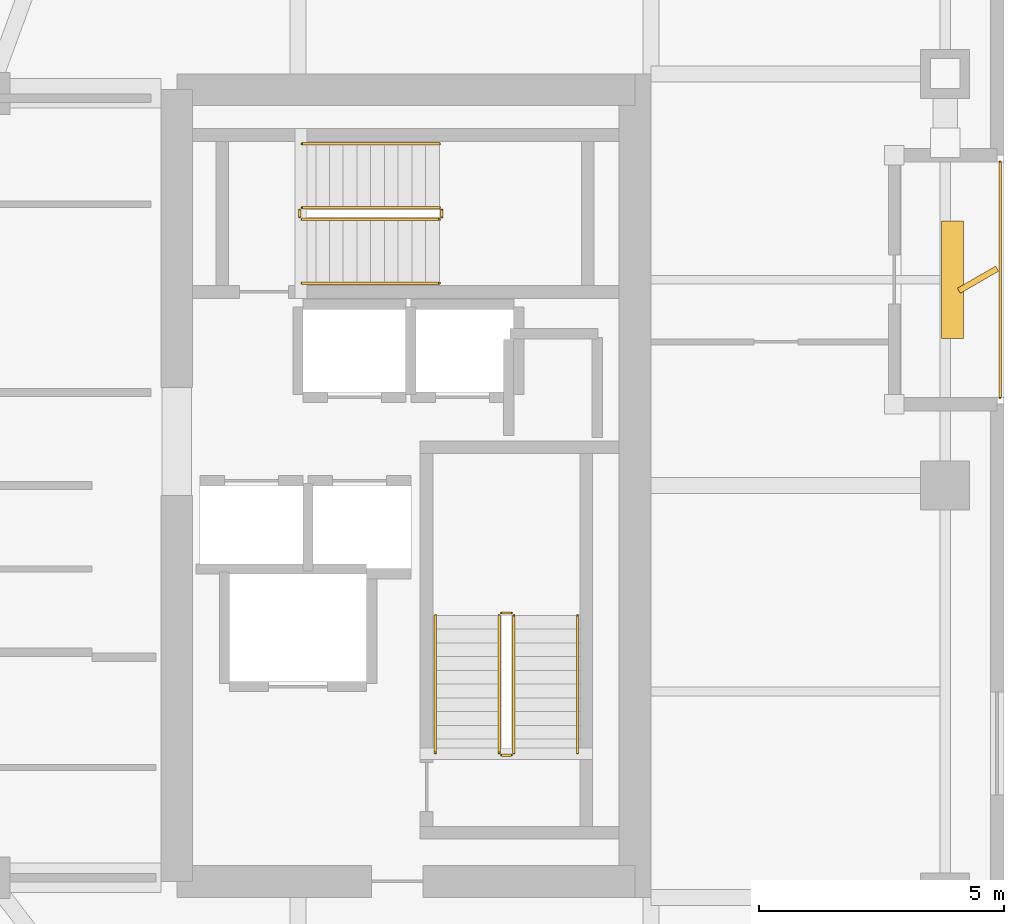
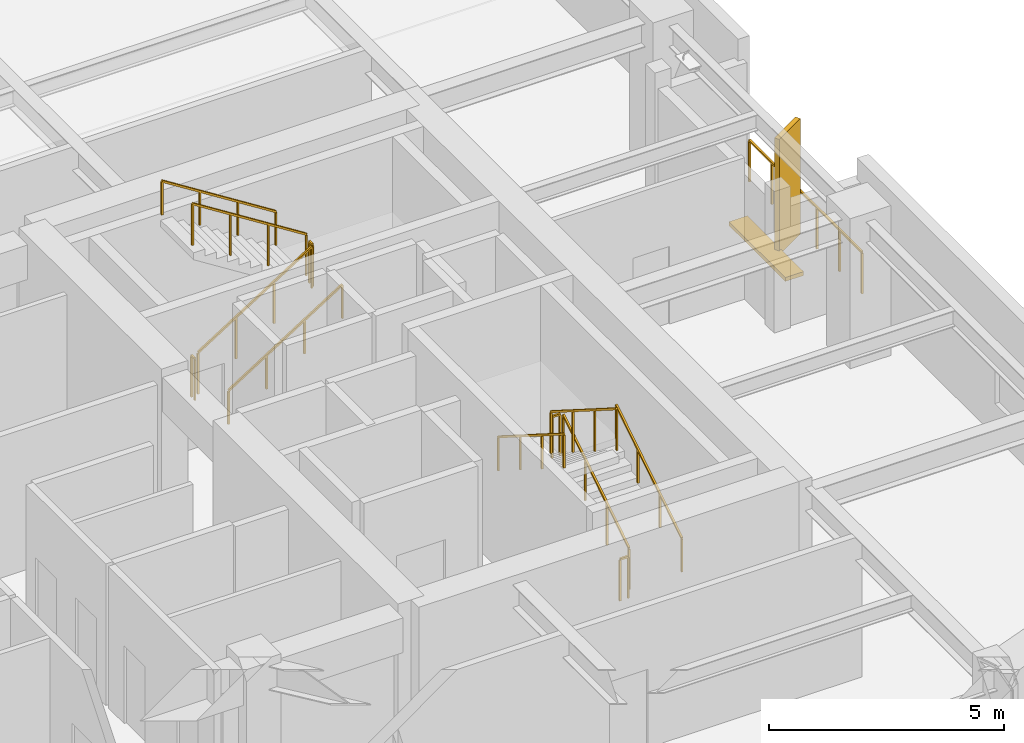
# One storey, part 20 of 21: 13 railings, 2 shading devices.
"""IFC4 building model written with IfcOpenShell, lengths in metres."""

from ifc_helpers import new_model, si_unit, direction, frame, origin, origin_2d, place, context, subcontext, project, spatial, rectangle, extrude, material, type_object, element, save


model = new_model("IFC4")

# Units and contexts
model_context = context("Model", 3, precision=1e-05, world=origin(), true_north=direction((0.0, 1.0)))
body_context = subcontext(model_context, "Body", "Model", "MODEL_VIEW")
ifc_project = project(units=[si_unit("LENGTHUNIT", "METRE"), si_unit("AREAUNIT", "SQUARE_METRE"), si_unit("VOLUMEUNIT", "CUBIC_METRE"), si_unit("PLANEANGLEUNIT", "RADIAN"), si_unit("MASSUNIT", "GRAM", prefix="KILO")], contexts=[model_context])

# Site, building, storey
site_placement = place(None, origin())
site = spatial("IfcSite", under=ifc_project, at=site_placement, CompositionType="ELEMENT")
building_placement = place(site_placement, origin())
building = spatial("IfcBuilding", under=site, at=building_placement, Name="Kiyonajd Concourse Tower", CompositionType="ELEMENT")
storey_placement = place(building_placement, frame((0.0, 0.0, 231.0)))
storey = spatial("IfcBuildingStorey", under=building, at=storey_placement, Name="L58", CompositionType="ELEMENT", Elevation=231.0)

# Railings
ifc_material_1 = material(Name="Thermally Broken Anodised Aluminium", Category="aluminium")
railing_type_1 = type_object("IfcRailingType", Name="RL-GRD-LOG", PredefinedType="GUARDRAIL", material=ifc_material_1)
railing_1_placement = place(storey_placement, frame((70.719970703125, 37.800048828125, 0.0)))
element("IfcRailing", 1, at=railing_1_placement, inside=storey, type_object=railing_type_1, Name="L58 Engawa Loggia Perimeter Guard LOG-E", PredefinedType="GUARDRAIL", context=body_context, shape_type="SweptSolid", body=[
    extrude(rectangle(XDim=0.048095703125, YDim=0.048095703125, at=origin_2d()), frame((0.0, 0.0, 1.076171875), z_axis=(0.0, 1.0, 0.0), x_axis=(-1.0, 0.0, 0.0)), (0.0, 0.0, 1.0), 4.800048828125),
    extrude(rectangle(XDim=0.0419921875, YDim=0.0419921875, at=origin_2d()), origin(), (0.0, 0.0, 1.0), 1.052001953125),
    extrude(rectangle(XDim=0.0419921875, YDim=0.0419921875, at=origin_2d()), frame((0.0, 0.9599609375, 0.0)), (0.0, 0.0, 1.0), 1.052001953125),
    extrude(rectangle(XDim=0.0419921875, YDim=0.0419921875, at=origin_2d()), frame((0.0, 1.919921875, 0.0)), (0.0, 0.0, 1.0), 1.052001953125),
    extrude(rectangle(XDim=0.0419921875, YDim=0.0419921875, at=origin_2d()), frame((0.0, 2.880126953125, 0.0)), (0.0, 0.0, 1.0), 1.052001953125),
    extrude(rectangle(XDim=0.0419921875, YDim=0.0419921875, at=origin_2d()), frame((0.0, 3.840087890625, 0.0)), (0.0, 0.0, 1.0), 1.052001953125),
    extrude(rectangle(XDim=0.0419921875, YDim=0.0419921875, at=origin_2d()), frame((0.0, 4.800048828125, 0.0)), (0.0, 0.0, 1.0), 1.052001953125),
])
ifc_material_2 = material(Name="Steel ASTM A500 Grade C", Category="steel")
railing_type_2 = type_object("IfcRailingType", Name="RL-GRD-STR", PredefinedType="GUARDRAIL", material=ifc_material_2)
railing_2_placement = place(storey_placement, frame((60.800048828125, 30.550048828125, 0.17724609375)))
element("IfcRailing", 2, at=railing_2_placement, inside=storey, type_object=railing_type_2, Name="L58 ST2 stair guard 1", PredefinedType="GUARDRAIL", context=body_context, shape_type="SweptSolid", body=[
    extrude(rectangle(XDim=0.048095703125, YDim=0.048095703125, at=origin_2d()), frame((0.0, 0.0, 1.076171875), z_axis=(0.0, 0.844908973607, 0.534910110503), x_axis=(-1.0, 0.0, 0.0)), (0.0, 0.0, 1.0), 3.31396484375),
    extrude(rectangle(XDim=0.0419921875, YDim=0.0419921875, at=origin_2d()), origin(), (0.0, 0.0, 1.0), 1.052001953125),
    extrude(rectangle(XDim=0.0419921875, YDim=0.0419921875, at=origin_2d()), frame((0.0, 0.933349609375, 0.5908203125)), (0.0, 0.0, 1.0), 1.052001953125),
    extrude(rectangle(XDim=0.0419921875, YDim=0.0419921875, at=origin_2d()), frame((0.0, 1.86669921875, 1.181884765625)), (0.0, 0.0, 1.0), 1.052001953125),
    extrude(rectangle(XDim=0.0419921875, YDim=0.0419921875, at=origin_2d()), frame((0.0, 2.800048828125, 1.772705078125)), (0.0, 0.0, 1.0), 1.052001953125),
])
railing_3_placement = place(storey_placement, frame((60.75, 33.39990234375, 1.949951171875)))
element("IfcRailing", 3, at=railing_3_placement, inside=storey, type_object=railing_type_2, Name="L58 ST2 stair guard 2", PredefinedType="GUARDRAIL", context=body_context, shape_type="SweptSolid", body=[
    extrude(rectangle(XDim=0.048095703125, YDim=0.048095703125, at=origin_2d()), frame((0.0, 0.0, 1.076171875), z_axis=(-1.0, 0.0, 0.0), x_axis=(0.0, -1.0, 0.0)), (0.0, 0.0, 1.0), 0.199951171875),
    extrude(rectangle(XDim=0.0419921875, YDim=0.0419921875, at=origin_2d()), origin(), (0.0, 0.0, 1.0), 1.052001953125),
    extrude(rectangle(XDim=0.0419921875, YDim=0.0419921875, at=origin_2d()), frame((-0.199951171875, 0.0, 0.0)), (0.0, 0.0, 1.0), 1.052001953125),
])
railing_4_placement = place(storey_placement, frame((60.5, 33.35009765625, 2.127197265625)))
element("IfcRailing", 4, at=railing_4_placement, inside=storey, type_object=railing_type_2, Name="L58 ST2 stair guard 3", PredefinedType="GUARDRAIL", context=body_context, shape_type="SweptSolid", body=[
    extrude(rectangle(XDim=0.048095703125, YDim=0.048095703125, at=origin_2d()), frame((0.0, 0.0, 1.076171875), z_axis=(0.0, -0.844908973607, 0.534910110503), x_axis=(1.0, 0.0, 0.0)), (0.0, 0.0, 1.0), 3.31396484375),
    extrude(rectangle(XDim=0.0419921875, YDim=0.0419921875, at=origin_2d()), origin(), (0.0, 0.0, 1.0), 1.052001953125),
    extrude(rectangle(XDim=0.0419921875, YDim=0.0419921875, at=origin_2d()), frame((0.0, -0.933349609375, 0.5908203125)), (0.0, 0.0, 1.0), 1.052001953125),
    extrude(rectangle(XDim=0.0419921875, YDim=0.0419921875, at=origin_2d()), frame((0.0, -1.86669921875, 1.181884765625)), (0.0, 0.0, 1.0), 1.052001953125),
    extrude(rectangle(XDim=0.0419921875, YDim=0.0419921875, at=origin_2d()), frame((0.0, -2.800048828125, 1.772705078125)), (0.0, 0.0, 1.0), 1.052001953125),
])
railing_5_placement = place(storey_placement, frame((60.75, 30.5, 0.0)))
element("IfcRailing", 5, at=railing_5_placement, inside=storey, type_object=railing_type_2, Name="L58 ST2 stair guard 4", PredefinedType="GUARDRAIL", context=body_context, shape_type="SweptSolid", body=[
    extrude(rectangle(XDim=0.048095703125, YDim=0.048095703125, at=origin_2d()), frame((0.0, 0.0, 1.076171875), z_axis=(-1.0, 0.0, 0.0), x_axis=(0.0, -1.0, 0.0)), (0.0, 0.0, 1.0), 0.199951171875),
    extrude(rectangle(XDim=0.0419921875, YDim=0.0419921875, at=origin_2d()), origin(), (0.0, 0.0, 1.0), 1.052001953125),
    extrude(rectangle(XDim=0.0419921875, YDim=0.0419921875, at=origin_2d()), frame((-0.199951171875, 0.0, 0.0)), (0.0, 0.0, 1.0), 1.052001953125),
])
railing_6_placement = place(storey_placement, frame((56.47998046875, 41.429931640625, 0.17724609375)))
element("IfcRailing", 6, at=railing_6_placement, inside=storey, type_object=railing_type_2, Name="L58 ST3 stair guard 1", PredefinedType="GUARDRAIL", context=body_context, shape_type="SweptSolid", body=[
    extrude(rectangle(XDim=0.048095703125, YDim=0.048095703125, at=origin_2d()), frame((0.0, 0.0, 1.076171875), z_axis=(0.844908973607, 0.0, 0.534910110503), x_axis=(0.0, 1.0, 0.0)), (0.0, 0.0, 1.0), 3.31396484375),
    extrude(rectangle(XDim=0.0419921875, YDim=0.0419921875, at=origin_2d()), origin(), (0.0, 0.0, 1.0), 1.052001953125),
    extrude(rectangle(XDim=0.0419921875, YDim=0.0419921875, at=origin_2d()), frame((0.933349609375, 0.0, 0.5908203125)), (0.0, 0.0, 1.0), 1.052001953125),
    extrude(rectangle(XDim=0.0419921875, YDim=0.0419921875, at=origin_2d()), frame((1.86669921875, 0.0, 1.181884765625)), (0.0, 0.0, 1.0), 1.052001953125),
    extrude(rectangle(XDim=0.0419921875, YDim=0.0419921875, at=origin_2d()), frame((2.800048828125, 0.0, 1.772705078125)), (0.0, 0.0, 1.0), 1.052001953125),
])
railing_7_placement = place(storey_placement, frame((59.330078125, 41.47998046875, 1.949951171875)))
element("IfcRailing", 7, at=railing_7_placement, inside=storey, type_object=railing_type_2, Name="L58 ST3 stair guard 2", PredefinedType="GUARDRAIL", context=body_context, shape_type="SweptSolid", body=[
    extrude(rectangle(XDim=0.048095703125, YDim=0.048095703125, at=origin_2d()), frame((0.0, 0.0, 1.076171875), z_axis=(0.0, 1.0, 0.0), x_axis=(-1.0, 0.0, 0.0)), (0.0, 0.0, 1.0), 0.14013671875),
    extrude(rectangle(XDim=0.0419921875, YDim=0.0419921875, at=origin_2d()), origin(), (0.0, 0.0, 1.0), 1.052001953125),
    extrude(rectangle(XDim=0.0419921875, YDim=0.0419921875, at=origin_2d()), frame((0.0, 0.14013671875, 0.0)), (0.0, 0.0, 1.0), 1.052001953125),
])
railing_8_placement = place(storey_placement, frame((59.280029296875, 41.669921875, 2.127197265625)))
element("IfcRailing", 8, at=railing_8_placement, inside=storey, type_object=railing_type_2, Name="L58 ST3 stair guard 3", PredefinedType="GUARDRAIL", context=body_context, shape_type="SweptSolid", body=[
    extrude(rectangle(XDim=0.048095703125, YDim=0.048095703125, at=origin_2d()), frame((0.0, 0.0, 1.076171875), z_axis=(-0.844908973607, 0.0, 0.534910110503), x_axis=(0.0, -1.0, 0.0)), (0.0, 0.0, 1.0), 3.31396484375),
    extrude(rectangle(XDim=0.0419921875, YDim=0.0419921875, at=origin_2d()), origin(), (0.0, 0.0, 1.0), 1.052001953125),
    extrude(rectangle(XDim=0.0419921875, YDim=0.0419921875, at=origin_2d()), frame((-0.933349609375, 0.0, 0.5908203125)), (0.0, 0.0, 1.0), 1.052001953125),
    extrude(rectangle(XDim=0.0419921875, YDim=0.0419921875, at=origin_2d()), frame((-1.86669921875, 0.0, 1.181884765625)), (0.0, 0.0, 1.0), 1.052001953125),
    extrude(rectangle(XDim=0.0419921875, YDim=0.0419921875, at=origin_2d()), frame((-2.800048828125, 0.0, 1.772705078125)), (0.0, 0.0, 1.0), 1.052001953125),
])
railing_9_placement = place(storey_placement, frame((56.429931640625, 41.47998046875, 0.0)))
element("IfcRailing", 9, at=railing_9_placement, inside=storey, type_object=railing_type_2, Name="L58 ST3 stair guard 4", PredefinedType="GUARDRAIL", context=body_context, shape_type="SweptSolid", body=[
    extrude(rectangle(XDim=0.048095703125, YDim=0.048095703125, at=origin_2d()), frame((0.0, 0.0, 1.076171875), z_axis=(0.0, 1.0, 0.0), x_axis=(-1.0, 0.0, 0.0)), (0.0, 0.0, 1.0), 0.14013671875),
    extrude(rectangle(XDim=0.0419921875, YDim=0.0419921875, at=origin_2d()), origin(), (0.0, 0.0, 1.0), 1.052001953125),
    extrude(rectangle(XDim=0.0419921875, YDim=0.0419921875, at=origin_2d()), frame((0.0, 0.14013671875, 0.0)), (0.0, 0.0, 1.0), 1.052001953125),
])
ifc_material_3 = material(Name="Brushed Stainless Steel Cab Assembly", Category="steel")
railing_type_3 = type_object("IfcRailingType", Name="RL-HND-900", PredefinedType="HANDRAIL", material=ifc_material_3)
railing_10_placement = place(storey_placement, frame((62.10009765625, 30.550048828125, 0.17724609375)))
element("IfcRailing", 10, at=railing_10_placement, inside=storey, type_object=railing_type_3, Name="L58 ST2 stair handrail 1", PredefinedType="HANDRAIL", context=body_context, shape_type="SweptSolid", body=[
    extrude(rectangle(XDim=0.048095703125, YDim=0.048095703125, at=origin_2d()), frame((0.0, 0.0, 0.8759765625), z_axis=(0.0, 0.844908973607, 0.534910110503), x_axis=(-1.0, 0.0, 0.0)), (0.0, 0.0, 1.0), 3.31396484375),
    extrude(rectangle(XDim=0.0419921875, YDim=0.0419921875, at=origin_2d()), origin(), (0.0, 0.0, 1.0), 0.851806640625),
    extrude(rectangle(XDim=0.0419921875, YDim=0.0419921875, at=origin_2d()), frame((0.0, 0.933349609375, 0.5908203125)), (0.0, 0.0, 1.0), 0.851806640625),
    extrude(rectangle(XDim=0.0419921875, YDim=0.0419921875, at=origin_2d()), frame((0.0, 1.86669921875, 1.181884765625)), (0.0, 0.0, 1.0), 0.851806640625),
    extrude(rectangle(XDim=0.0419921875, YDim=0.0419921875, at=origin_2d()), frame((0.0, 2.800048828125, 1.772705078125)), (0.0, 0.0, 1.0), 0.851806640625),
])
railing_11_placement = place(storey_placement, frame((59.199951171875, 33.35009765625, 2.127197265625)))
element("IfcRailing", 11, at=railing_11_placement, inside=storey, type_object=railing_type_3, Name="L58 ST2 stair handrail 2", PredefinedType="HANDRAIL", context=body_context, shape_type="SweptSolid", body=[
    extrude(rectangle(XDim=0.048095703125, YDim=0.048095703125, at=origin_2d()), frame((0.0, 0.0, 0.8759765625), z_axis=(0.0, -0.844908973607, 0.534910110503), x_axis=(1.0, 0.0, 0.0)), (0.0, 0.0, 1.0), 3.31396484375),
    extrude(rectangle(XDim=0.0419921875, YDim=0.0419921875, at=origin_2d()), origin(), (0.0, 0.0, 1.0), 0.851806640625),
    extrude(rectangle(XDim=0.0419921875, YDim=0.0419921875, at=origin_2d()), frame((0.0, -0.933349609375, 0.5908203125)), (0.0, 0.0, 1.0), 0.851806640625),
    extrude(rectangle(XDim=0.0419921875, YDim=0.0419921875, at=origin_2d()), frame((0.0, -1.86669921875, 1.181884765625)), (0.0, 0.0, 1.0), 0.851806640625),
    extrude(rectangle(XDim=0.0419921875, YDim=0.0419921875, at=origin_2d()), frame((0.0, -2.800048828125, 1.772705078125)), (0.0, 0.0, 1.0), 0.851806640625),
])
railing_12_placement = place(storey_placement, frame((56.47998046875, 40.1298828125, 0.17724609375)))
element("IfcRailing", 12, at=railing_12_placement, inside=storey, type_object=railing_type_3, Name="L58 ST3 stair handrail 1", PredefinedType="HANDRAIL", context=body_context, shape_type="SweptSolid", body=[
    extrude(rectangle(XDim=0.048095703125, YDim=0.048095703125, at=origin_2d()), frame((0.0, 0.0, 0.8759765625), z_axis=(0.844908973607, 0.0, 0.534910110503), x_axis=(0.0, 1.0, 0.0)), (0.0, 0.0, 1.0), 3.31396484375),
    extrude(rectangle(XDim=0.0419921875, YDim=0.0419921875, at=origin_2d()), origin(), (0.0, 0.0, 1.0), 0.851806640625),
    extrude(rectangle(XDim=0.0419921875, YDim=0.0419921875, at=origin_2d()), frame((0.933349609375, 0.0, 0.5908203125)), (0.0, 0.0, 1.0), 0.851806640625),
    extrude(rectangle(XDim=0.0419921875, YDim=0.0419921875, at=origin_2d()), frame((1.86669921875, 0.0, 1.181884765625)), (0.0, 0.0, 1.0), 0.851806640625),
    extrude(rectangle(XDim=0.0419921875, YDim=0.0419921875, at=origin_2d()), frame((2.800048828125, 0.0, 1.772705078125)), (0.0, 0.0, 1.0), 0.851806640625),
])
railing_13_placement = place(storey_placement, frame((59.280029296875, 42.969970703125, 2.127197265625)))
element("IfcRailing", 13, at=railing_13_placement, inside=storey, type_object=railing_type_3, Name="L58 ST3 stair handrail 2", PredefinedType="HANDRAIL", context=body_context, shape_type="SweptSolid", body=[
    extrude(rectangle(XDim=0.048095703125, YDim=0.048095703125, at=origin_2d()), frame((0.0, 0.0, 0.8759765625), z_axis=(-0.844908973607, 0.0, 0.534910110503), x_axis=(0.0, -1.0, 0.0)), (0.0, 0.0, 1.0), 3.31396484375),
    extrude(rectangle(XDim=0.0419921875, YDim=0.0419921875, at=origin_2d()), origin(), (0.0, 0.0, 1.0), 0.851806640625),
    extrude(rectangle(XDim=0.0419921875, YDim=0.0419921875, at=origin_2d()), frame((-0.933349609375, 0.0, 0.5908203125)), (0.0, 0.0, 1.0), 0.851806640625),
    extrude(rectangle(XDim=0.0419921875, YDim=0.0419921875, at=origin_2d()), frame((-1.86669921875, 0.0, 1.181884765625)), (0.0, 0.0, 1.0), 0.851806640625),
    extrude(rectangle(XDim=0.0419921875, YDim=0.0419921875, at=origin_2d()), frame((-2.800048828125, 0.0, 1.772705078125)), (0.0, 0.0, 1.0), 0.851806640625),
])

# Shading devices
ifc_material_4 = material(Name="Precast concrete C50/60", Category="concrete")
shading_device_type_1 = type_object("IfcShadingDeviceType", Name="SH-FIN-900", PredefinedType="USERDEFINED", material=ifc_material_4)
shading_device_1_placement = place(storey_placement, frame((70.27001953125, 40.199951171875, 0.0), z_axis=(0.0, 0.0, 1.0), x_axis=(0.866025403784, 0.5, 0.0)))
element("IfcShadingDevice", 14, at=shading_device_1_placement, inside=storey, type_object=shading_device_type_1, Name="L58 Angled Koshi Solar Fin LOG-E", ObjectType="FIN", PredefinedType="USERDEFINED", context=body_context, shape_type="SweptSolid", body=[
    extrude(rectangle(XDim=0.89990234375, YDim=0.1201171875, at=origin_2d()), origin(), (0.0, 0.0, 1.0), 3.0),
])
shading_device_type_2 = type_object("IfcShadingDeviceType", Name="SH-LVR-600", PredefinedType="JALOUSIE", material=ifc_material_1)
shading_device_2_placement = place(storey_placement, frame((69.75, 40.199951171875, 0.0), z_axis=(0.0, 0.0, 1.0), x_axis=(0.0, 1.0, 0.0)))
element("IfcShadingDevice", 15, at=shading_device_2_placement, inside=storey, type_object=shading_device_type_2, Name="L58 Loggia Threshold Louver LOG-E", PredefinedType="JALOUSIE", context=body_context, shape_type="SweptSolid", body=[
    extrude(rectangle(XDim=2.39990234375, YDim=0.449951171875, at=origin_2d()), origin(), (0.0, 0.0, 1.0), 0.10009765625),
])

save(model, "model.ifc")
